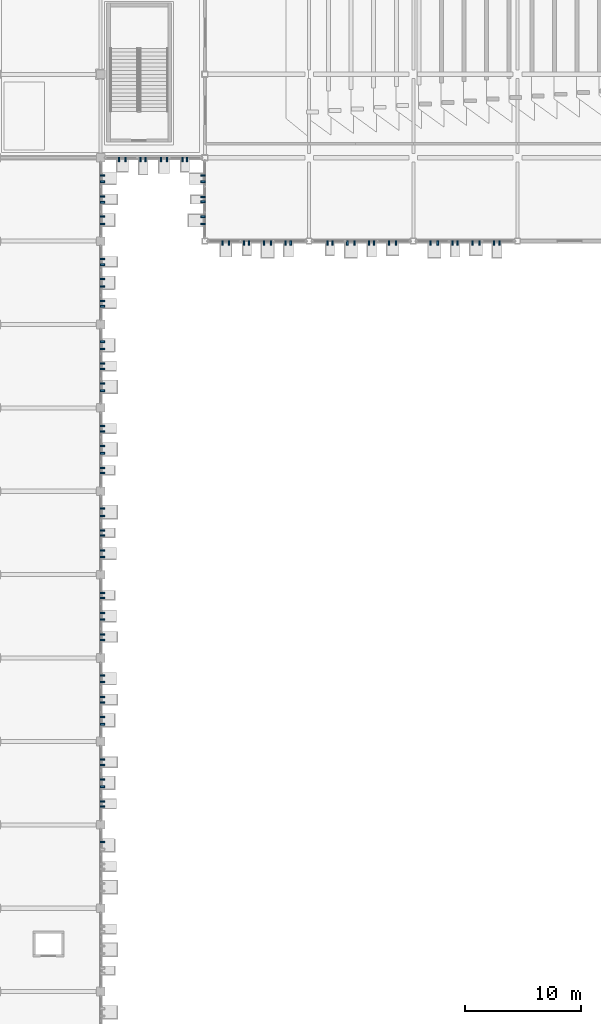
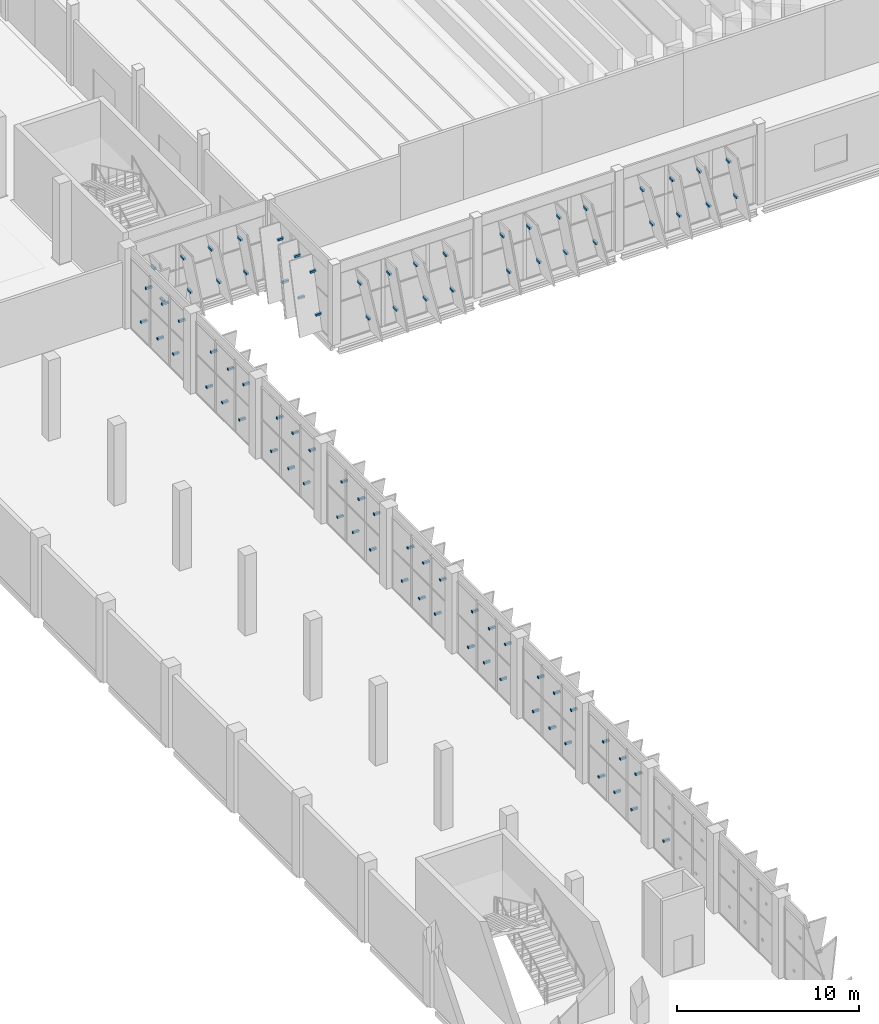
# One storey, part 153 of 189: 87 discrete accessories.
"""IFC4 building model written with IfcOpenShell, lengths in metres."""

from ifc_helpers import new_model, si_unit, direction, frame, origin, origin_2d, place, context, subcontext, project, spatial, rectangle, extrude, material, type_object, element, save


model = new_model("IFC4")

# Units and contexts
model_context = context("Model", 3, precision=1e-05, world=origin(), true_north=direction((0.0, 1.0)))
body_context = subcontext(model_context, "Body", "Model", "MODEL_VIEW")
ifc_project = project(units=[si_unit("LENGTHUNIT", "METRE"), si_unit("AREAUNIT", "SQUARE_METRE"), si_unit("VOLUMEUNIT", "CUBIC_METRE"), si_unit("PLANEANGLEUNIT", "RADIAN"), si_unit("MASSUNIT", "GRAM", prefix="KILO")], contexts=[model_context])

# Site, building, storey
site_placement = place(None, origin())
site = spatial("IfcSite", under=ifc_project, at=site_placement, CompositionType="ELEMENT")
building_placement = place(site_placement, origin())
building = spatial("IfcBuilding", under=site, at=building_placement, Name="Celestram Park Convention Centre", CompositionType="ELEMENT")
storey_placement = place(building_placement, frame((0.0, 0.0, 5.39990234375)))
storey = spatial("IfcBuildingStorey", under=building, at=storey_placement, Name="L01", CompositionType="ELEMENT", Elevation=5.39990234375)

# Discrete accessories
ifc_material = material(Name="Steel ASTM A500 Grade C", Category="steel")
discrete_accessory_type = type_object("IfcDiscreteAccessoryType", Name="ARC-BRK-OUT400", PredefinedType="BRACKET", material=ifc_material)
for number, where, z_axis, x_axis, name in (
    (1, (178.43310546875, 115.050048828125, 0.9716796875), (0.0, 0.0, 1.0), (0.0, -1.0, 0.0), "Solar fin outrigger bracket BK-L01-0475"),
    (2, (177.966796875, 115.050048828125, 3.5126953125), (0.0, 0.0, 1.0), (0.0, -1.0, 0.0), "Solar fin outrigger bracket BK-L01-0476"),
    (3, (176.699462890625, 115.050048828125, 0.9853515625), (0.0, 0.0, 1.0), (0.0, -1.0, 0.0), "Solar fin outrigger bracket BK-L01-0477"),
    (4, (176.1005859375, 115.050048828125, 3.4990234375), (0.0, 0.0, 1.0), (0.0, -1.0, 0.0), "Solar fin outrigger bracket BK-L01-0478"),
    (5, (174.81982421875, 115.050048828125, 0.96923828125), (0.0, 0.0, 1.0), (0.0, -1.0, 0.0), "Solar fin outrigger bracket BK-L01-0479"),
    (6, (174.380126953125, 115.050048828125, 3.51513671875), (0.0, 0.0, 1.0), (0.0, -1.0, 0.0), "Solar fin outrigger bracket BK-L01-0480"),
    (7, (173.108154296875, 115.050048828125, 0.98779296875), (0.0, 0.0, 1.0), (0.0, -1.0, 0.0), "Solar fin outrigger bracket BK-L01-0481"),
    (8, (172.49169921875, 115.050048828125, 3.49658203125), (0.0, 0.0, 1.0), (0.0, -1.0, 0.0), "Solar fin outrigger bracket BK-L01-0482"),
    (9, (169.49951171875, 115.050048828125, 0.9853515625), (0.0, 0.0, 1.0), (0.0, -1.0, 0.0), "Solar fin outrigger bracket BK-L01-0483"),
    (10, (168.900634765625, 115.050048828125, 3.4990234375), (0.0, 0.0, 1.0), (0.0, -1.0, 0.0), "Solar fin outrigger bracket BK-L01-0484"),
    (11, (167.619873046875, 115.050048828125, 0.96923828125), (0.0, 0.0, 1.0), (0.0, -1.0, 0.0), "Solar fin outrigger bracket BK-L01-0485"),
    (12, (167.18017578125, 115.050048828125, 3.51513671875), (0.0, 0.0, 1.0), (0.0, -1.0, 0.0), "Solar fin outrigger bracket BK-L01-0486"),
    (13, (165.908203125, 115.050048828125, 0.98779296875), (0.0, 0.0, 1.0), (0.0, -1.0, 0.0), "Solar fin outrigger bracket BK-L01-0487"),
    (14, (165.291748046875, 115.050048828125, 3.49658203125), (0.0, 0.0, 1.0), (0.0, -1.0, 0.0), "Solar fin outrigger bracket BK-L01-0488"),
    (15, (164.006591796875, 115.050048828125, 0.966796875), (0.0, 0.0, 1.0), (0.0, -1.0, 0.0), "Solar fin outrigger bracket BK-L01-0489"),
    (16, (163.593505859375, 115.050048828125, 3.517578125), (0.0, 0.0, 1.0), (0.0, -1.0, 0.0), "Solar fin outrigger bracket BK-L01-0490"),
    (17, (160.419921875, 115.050048828125, 0.96923828125), (0.0, 0.0, 1.0), (0.0, -1.0, 0.0), "Solar fin outrigger bracket BK-L01-0491"),
    (18, (159.97998046875, 115.050048828125, 3.51513671875), (0.0, 0.0, 1.0), (0.0, -1.0, 0.0), "Solar fin outrigger bracket BK-L01-0492"),
    (19, (158.708251953125, 115.050048828125, 0.98779296875), (0.0, 0.0, 1.0), (0.0, -1.0, 0.0), "Solar fin outrigger bracket BK-L01-0493"),
    (20, (158.091796875, 115.050048828125, 3.49658203125), (0.0, 0.0, 1.0), (0.0, -1.0, 0.0), "Solar fin outrigger bracket BK-L01-0494"),
    (21, (156.806640625, 115.050048828125, 0.966796875), (0.0, 0.0, 1.0), (0.0, -1.0, 0.0), "Solar fin outrigger bracket BK-L01-0495"),
    (22, (156.393310546875, 115.050048828125, 3.517578125), (0.0, 0.0, 1.0), (0.0, -1.0, 0.0), "Solar fin outrigger bracket BK-L01-0496"),
    (23, (155.07080078125, 115.050048828125, 0.97900390625), (0.0, 0.0, 1.0), (0.0, -1.0, 0.0), "Solar fin outrigger bracket BK-L01-0497"),
    (24, (154.529296875, 115.050048828125, 3.50537109375), (0.0, 0.0, 1.0), (0.0, -1.0, 0.0), "Solar fin outrigger bracket BK-L01-0498"),
    (25, (152.85009765625, 116.69189453125, 0.98779296875), (0.0, 0.0, 1.0), (-1.0, 0.0, 0.0), "Solar fin outrigger bracket BK-L01-0499"),
    (26, (152.85009765625, 117.30810546875, 3.49658203125), (0.0, 0.0, 1.0), (-1.0, 0.0, 0.0), "Solar fin outrigger bracket BK-L01-0500"),
    (27, (152.85009765625, 118.593505859375, 0.966796875), (0.0, 0.0, 1.0), (-1.0, 0.0, 0.0), "Solar fin outrigger bracket BK-L01-0501"),
    (28, (152.85009765625, 119.006591796875, 3.517578125), (0.0, 0.0, 1.0), (-1.0, 0.0, 0.0), "Solar fin outrigger bracket BK-L01-0502"),
    (29, (152.85009765625, 120.3291015625, 0.97900390625), (0.0, 0.0, 1.0), (-1.0, 0.0, 0.0), "Solar fin outrigger bracket BK-L01-0503"),
    (30, (152.85009765625, 120.870849609375, 3.50537109375), (0.0, 0.0, 1.0), (-1.0, 0.0, 0.0), "Solar fin outrigger bracket BK-L01-0504"),
    (31, (151.45751953125, 122.25, 0.90966796875), (0.0, 0.0, 1.0), (0.0, -1.0, 0.0), "Solar fin outrigger bracket BK-L01-0505"),
    (32, (151.0673828125, 122.25, 3.31884765625), (0.0, 0.0, 1.0), (0.0, -1.0, 0.0), "Solar fin outrigger bracket BK-L01-0506"),
    (33, (149.71826171875, 122.25, 0.9208984375), (0.0, 0.0, 1.0), (0.0, -1.0, 0.0), "Solar fin outrigger bracket BK-L01-0507"),
    (34, (149.206787109375, 122.25, 3.30712890625), (0.0, 0.0, 1.0), (0.0, -1.0, 0.0), "Solar fin outrigger bracket BK-L01-0508"),
    (35, (147.8828125, 122.25, 0.9140625), (0.0, 0.0, 1.0), (0.0, -1.0, 0.0), "Solar fin outrigger bracket BK-L01-0509"),
    (36, (147.442138671875, 122.25, 3.314453125), (0.0, 0.0, 1.0), (0.0, -1.0, 0.0), "Solar fin outrigger bracket BK-L01-0510"),
    (37, (146.145263671875, 122.25, 0.92724609375), (0.0, 0.0, 1.0), (0.0, -1.0, 0.0), "Solar fin outrigger bracket BK-L01-0511"),
    (38, (145.57958984375, 122.25, 3.30126953125), (0.0, 0.0, 1.0), (0.0, -1.0, 0.0), "Solar fin outrigger bracket BK-L01-0512"),
    (39, (144.14990234375, 120.87890625, 1.0107421875), (0.0, 0.0, 1.0), (1.0, 0.0, 0.0), "Solar fin outrigger bracket BK-L01-0513"),
    (40, (144.14990234375, 120.321044921875, 3.61376953125), (0.0, 0.0, 1.0), (1.0, 0.0, 0.0), "Solar fin outrigger bracket BK-L01-0514"),
    (41, (144.14990234375, 119.040283203125, 1.0029296875), (0.0, 0.0, 1.0), (1.0, 0.0, 0.0), "Solar fin outrigger bracket BK-L01-0515"),
    (42, (144.14990234375, 118.559814453125, 3.62158203125), (0.0, 0.0, 1.0), (1.0, 0.0, 0.0), "Solar fin outrigger bracket BK-L01-0516"),
    (43, (144.14990234375, 117.30859375, 1.01708984375), (0.0, 0.0, 1.0), (1.0, 0.0, 0.0), "Solar fin outrigger bracket BK-L01-0517"),
    (44, (144.14990234375, 116.69140625, 3.60693359375), (0.0, 0.0, 1.0), (1.0, 0.0, 0.0), "Solar fin outrigger bracket BK-L01-0518"),
    (45, (144.14990234375, 113.64306640625, 1.015625), (0.0, 0.0, 1.0), (1.0, 0.0, 0.0), "Solar fin outrigger bracket BK-L01-0519"),
    (46, (144.14990234375, 113.156982421875, 3.6650390625), (0.0, 0.0, 1.0), (1.0, 0.0, 0.0), "Solar fin outrigger bracket BK-L01-0520"),
    (47, (144.14990234375, 111.912109375, 1.0302734375), (0.0, 0.0, 1.0), (1.0, 0.0, 0.0), "Solar fin outrigger bracket BK-L01-0521"),
    (48, (144.14990234375, 111.287841796875, 3.650390625), (0.0, 0.0, 1.0), (1.0, 0.0, 0.0), "Solar fin outrigger bracket BK-L01-0522"),
    (49, (144.14990234375, 110.029296875, 1.01318359375), (0.0, 0.0, 1.0), (1.0, 0.0, 0.0), "Solar fin outrigger bracket BK-L01-0523"),
    (50, (144.14990234375, 109.57080078125, 3.66748046875), (0.0, 0.0, 1.0), (1.0, 0.0, 0.0), "Solar fin outrigger bracket BK-L01-0524"),
    (51, (144.14990234375, 106.51220703125, 1.0302734375), (0.0, 0.0, 1.0), (1.0, 0.0, 0.0), "Solar fin outrigger bracket BK-L01-0525"),
    (52, (144.14990234375, 105.887939453125, 3.650390625), (0.0, 0.0, 1.0), (1.0, 0.0, 0.0), "Solar fin outrigger bracket BK-L01-0526"),
    (53, (144.14990234375, 104.629150390625, 1.01318359375), (0.0, 0.0, 1.0), (1.0, 0.0, 0.0), "Solar fin outrigger bracket BK-L01-0527"),
    (54, (144.14990234375, 104.1708984375, 3.66748046875), (0.0, 0.0, 1.0), (1.0, 0.0, 0.0), "Solar fin outrigger bracket BK-L01-0528"),
    (55, (144.14990234375, 102.92138671875, 1.0322265625), (0.0, 0.0, 1.0), (1.0, 0.0, 0.0), "Solar fin outrigger bracket BK-L01-0529"),
    (56, (144.14990234375, 102.27880859375, 3.64794921875), (0.0, 0.0, 1.0), (1.0, 0.0, 0.0), "Solar fin outrigger bracket BK-L01-0530"),
    (57, (144.14990234375, 99.229248046875, 1.01318359375), (0.0, 0.0, 1.0), (1.0, 0.0, 0.0), "Solar fin outrigger bracket BK-L01-0531"),
    (58, (144.14990234375, 98.770751953125, 3.66748046875), (0.0, 0.0, 1.0), (1.0, 0.0, 0.0), "Solar fin outrigger bracket BK-L01-0532"),
    (59, (144.14990234375, 97.521240234375, 1.0322265625), (0.0, 0.0, 1.0), (1.0, 0.0, 0.0), "Solar fin outrigger bracket BK-L01-0533"),
    (60, (144.14990234375, 96.878662109375, 3.64794921875), (0.0, 0.0, 1.0), (1.0, 0.0, 0.0), "Solar fin outrigger bracket BK-L01-0534"),
    (61, (144.14990234375, 95.615234375, 1.0107421875), (0.0, 0.0, 1.0), (1.0, 0.0, 0.0), "Solar fin outrigger bracket BK-L01-0535"),
    (62, (144.14990234375, 95.184814453125, 3.66943359375), (0.0, 0.0, 1.0), (1.0, 0.0, 0.0), "Solar fin outrigger bracket BK-L01-0536"),
    (63, (144.14990234375, 92.121337890625, 1.0322265625), (0.0, 0.0, 1.0), (1.0, 0.0, 0.0), "Solar fin outrigger bracket BK-L01-0537"),
    (64, (144.14990234375, 91.478759765625, 3.64794921875), (0.0, 0.0, 1.0), (1.0, 0.0, 0.0), "Solar fin outrigger bracket BK-L01-0538"),
    (65, (144.14990234375, 90.21533203125, 1.0107421875), (0.0, 0.0, 1.0), (1.0, 0.0, 0.0), "Solar fin outrigger bracket BK-L01-0539"),
    (66, (144.14990234375, 89.78466796875, 3.66943359375), (0.0, 0.0, 1.0), (1.0, 0.0, 0.0), "Solar fin outrigger bracket BK-L01-0540"),
    (67, (144.14990234375, 88.482421875, 1.0234375), (0.0, 0.0, 1.0), (1.0, 0.0, 0.0), "Solar fin outrigger bracket BK-L01-0541"),
    (68, (144.14990234375, 87.917724609375, 3.6572265625), (0.0, 0.0, 1.0), (1.0, 0.0, 0.0), "Solar fin outrigger bracket BK-L01-0542"),
    (69, (144.14990234375, 84.815185546875, 1.0107421875), (0.0, 0.0, 1.0), (1.0, 0.0, 0.0), "Solar fin outrigger bracket BK-L01-0543"),
    (70, (144.14990234375, 84.384765625, 3.66943359375), (0.0, 0.0, 1.0), (1.0, 0.0, 0.0), "Solar fin outrigger bracket BK-L01-0544"),
    (71, (144.14990234375, 83.082275390625, 1.0234375), (0.0, 0.0, 1.0), (1.0, 0.0, 0.0), "Solar fin outrigger bracket BK-L01-0545"),
    (72, (144.14990234375, 82.517578125, 3.6572265625), (0.0, 0.0, 1.0), (1.0, 0.0, 0.0), "Solar fin outrigger bracket BK-L01-0546"),
    (73, (144.14990234375, 81.2431640625, 1.015625), (0.0, 0.0, 1.0), (1.0, 0.0, 0.0), "Solar fin outrigger bracket BK-L01-0547"),
    (74, (144.14990234375, 80.7568359375, 3.6650390625), (0.0, 0.0, 1.0), (1.0, 0.0, 0.0), "Solar fin outrigger bracket BK-L01-0548"),
    (75, (144.14990234375, 77.682373046875, 1.0234375), (0.0, 0.0, 1.0), (1.0, 0.0, 0.0), "Solar fin outrigger bracket BK-L01-0549"),
    (76, (144.14990234375, 77.11767578125, 3.6572265625), (0.0, 0.0, 1.0), (1.0, 0.0, 0.0), "Solar fin outrigger bracket BK-L01-0550"),
    (77, (144.14990234375, 75.843017578125, 1.015625), (0.0, 0.0, 1.0), (1.0, 0.0, 0.0), "Solar fin outrigger bracket BK-L01-0551"),
    (78, (144.14990234375, 75.35693359375, 3.6650390625), (0.0, 0.0, 1.0), (1.0, 0.0, 0.0), "Solar fin outrigger bracket BK-L01-0552"),
    (79, (144.14990234375, 74.112060546875, 1.0302734375), (0.0, 0.0, 1.0), (1.0, 0.0, 0.0), "Solar fin outrigger bracket BK-L01-0553"),
    (80, (144.14990234375, 73.48779296875, 3.650390625), (0.0, 0.0, 1.0), (1.0, 0.0, 0.0), "Solar fin outrigger bracket BK-L01-0554"),
    (81, (144.14990234375, 70.443115234375, 1.015625), (0.0, 0.0, 1.0), (1.0, 0.0, 0.0), "Solar fin outrigger bracket BK-L01-0555"),
    (82, (144.14990234375, 69.956787109375, 3.6650390625), (0.0, 0.0, 1.0), (1.0, 0.0, 0.0), "Solar fin outrigger bracket BK-L01-0556"),
    (83, (144.14990234375, 68.712158203125, 1.0302734375), (0.0, 0.0, 1.0), (1.0, 0.0, 0.0), "Solar fin outrigger bracket BK-L01-0557"),
    (84, (144.14990234375, 68.087890625, 3.650390625), (0.0, 0.0, 1.0), (1.0, 0.0, 0.0), "Solar fin outrigger bracket BK-L01-0558"),
    (85, (144.14990234375, 66.8291015625, 1.01318359375), (0.0, 0.0, 1.0), (1.0, 0.0, 0.0), "Solar fin outrigger bracket BK-L01-0559"),
    (86, (144.14990234375, 66.370849609375, 3.66748046875), (0.0, 0.0, 1.0), (1.0, 0.0, 0.0), "Solar fin outrigger bracket BK-L01-0560"),
    (87, (144.14990234375, 63.31201171875, 1.0302734375), (0.0, 0.0, 1.0), (1.0, 0.0, 0.0), "Solar fin outrigger bracket BK-L01-0561"),
):
    element("IfcDiscreteAccessory", number, at=place(storey_placement, frame(where, z_axis=z_axis, x_axis=x_axis)), inside=storey, type_object=discrete_accessory_type, Name=name, PredefinedType="BRACKET", context=body_context, shape_type="SweptSolid", body=[
        extrude(rectangle(XDim=0.39990234375, YDim=0.139892578125, at=origin_2d()), origin(), (0.0, 0.0, 1.0), 0.139892578125),
    ])

save(model, "model.ifc")
